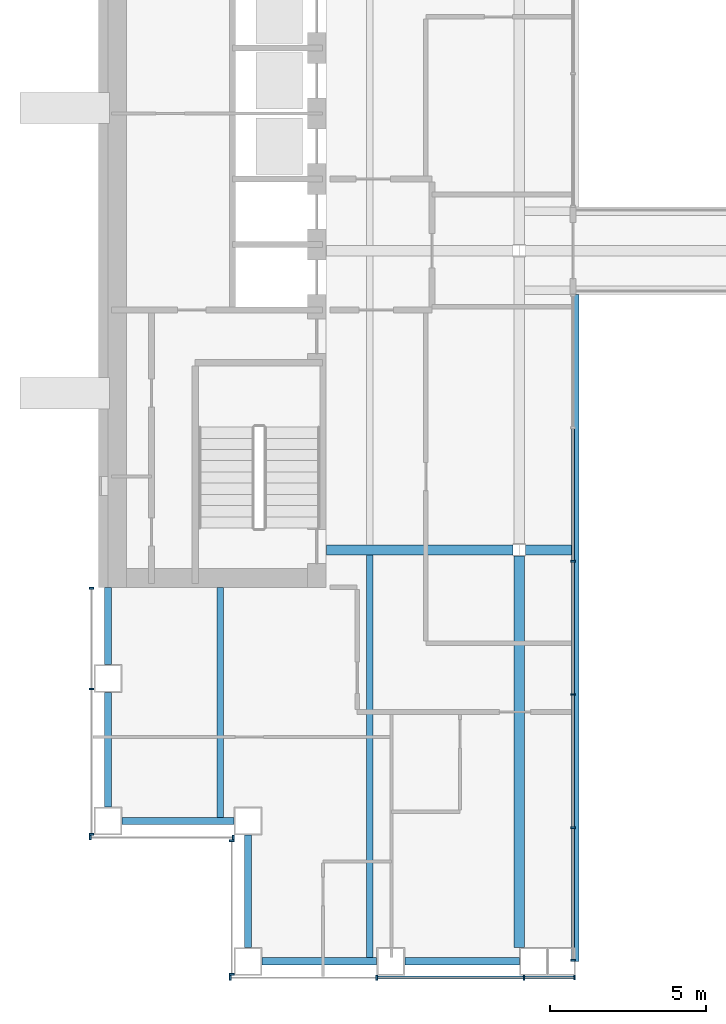
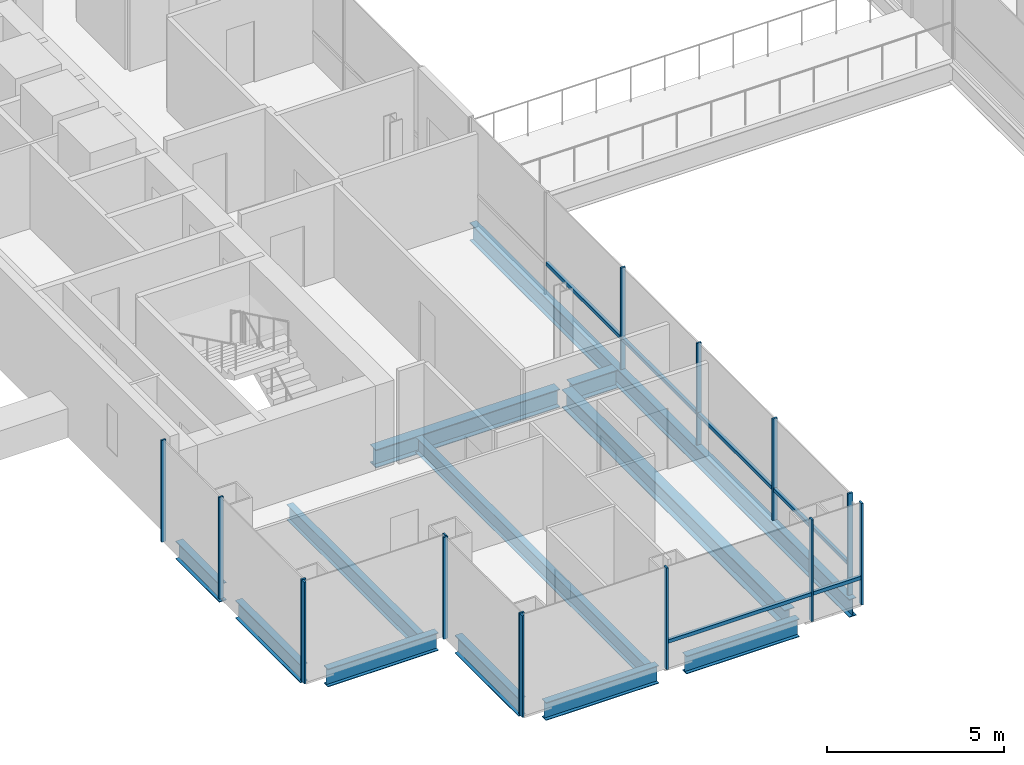
# One storey, part 2 of 17: 21 members, 12 beams, 5 elements without a shape of their own.
"""IFC4 building model written with IfcOpenShell, lengths in metres."""

from ifc_helpers import new_model, si_unit, direction, frame, origin, origin_2d, place, context, subcontext, project, spatial, rectangle, i_section, extrude, material, material_profile, profile_set, type_object, element, aggregate, save


model = new_model("IFC4")

# Units and contexts
model_context = context("Model", 3, precision=1e-05, world=origin(), true_north=direction((0.0, 1.0)))
body_context = subcontext(model_context, "Body", "Model", "MODEL_VIEW")
ifc_project = project(units=[si_unit("LENGTHUNIT", "METRE"), si_unit("AREAUNIT", "SQUARE_METRE"), si_unit("VOLUMEUNIT", "CUBIC_METRE"), si_unit("PLANEANGLEUNIT", "RADIAN"), si_unit("MASSUNIT", "GRAM", prefix="KILO")], contexts=[model_context])

# Site, building, storey
site_placement = place(None, origin())
site = spatial("IfcSite", under=ifc_project, at=site_placement, CompositionType="ELEMENT")
building_placement = place(site_placement, origin())
building = spatial("IfcBuilding", under=site, at=building_placement, Name="Cobrizo Arcos Hotel Tower", CompositionType="ELEMENT")
storey_placement = place(building_placement, frame((0.0, 0.0, 134.5)))
storey = spatial("IfcBuildingStorey", under=building, at=storey_placement, Name="L34", CompositionType="ELEMENT", Elevation=134.5)

# Curtain wall, members
ifc_material_1 = material(Name="Aluminium 6063-T6 anodised bronze", Category="aluminium")
curtain_wall_type_1 = type_object("IfcCurtainWallType", Name="CW-A guest facade", PredefinedType="NOTDEFINED", material=ifc_material_1)
curtain_wall_1_placement = place(storey_placement, origin())
curtain_wall_1 = element("IfcCurtainWall", 1, at=curtain_wall_1_placement, inside=storey, type_object=curtain_wall_type_1, Name="CW-A L34 S face", PredefinedType="NOTDEFINED")
ifc_material_profile_1 = material_profile(ifc_material_1, rectangle(XDim=0.14990234375, YDim=0.06005859375, at=origin_2d()), Name="CW-A mullion 150x60")
ifc_profile_set_1 = profile_set([ifc_material_profile_1], Name="Aluminium 6063-T6 anodised bronze")
member_type_1 = type_object("IfcMemberType", Name="CW-A mullion 150x60", PredefinedType="MULLION", material=ifc_profile_set_1)
member_1_placement = place(storey_placement, frame((-18.8701171875, -23.324951171875, 0.0), z_axis=(0.0, 0.0, 1.0), x_axis=(0.0, -1.0, 0.0)))
member_1 = element("IfcMember", 2, at=member_1_placement, type_object=member_type_1, Name="CW-A mullion 1", PredefinedType="MULLION", context=body_context, shape_type="SweptSolid", body=[
    extrude(rectangle(XDim=0.14990234375, YDim=0.06005859375, at=origin_2d()), origin(), (0.0, 0.0, 1.0), 3.5),
])
member_2_placement = place(storey_placement, frame((-14.175048828125, -23.324951171875, 0.0), z_axis=(0.0, 0.0, 1.0), x_axis=(0.0, -1.0, 0.0)))
member_2 = element("IfcMember", 3, at=member_2_placement, type_object=member_type_1, Name="CW-A mullion 2", PredefinedType="MULLION", context=body_context, shape_type="SweptSolid", body=[
    extrude(rectangle(XDim=0.14990234375, YDim=0.06005859375, at=origin_2d()), origin(), (0.0, 0.0, 1.0), 3.5),
])
member_3_placement = place(storey_placement, frame((-9.449951171875, -23.324951171875, 0.0), z_axis=(0.0, 0.0, 1.0), x_axis=(0.0, -1.0, 0.0)))
member_3 = element("IfcMember", 4, at=member_3_placement, type_object=member_type_1, Name="CW-A mullion 3", PredefinedType="MULLION", context=body_context, shape_type="SweptSolid", body=[
    extrude(rectangle(XDim=0.14990234375, YDim=0.06005859375, at=origin_2d()), origin(), (0.0, 0.0, 1.0), 3.5),
])
member_4_placement = place(storey_placement, frame((-7.830078125, -23.324951171875, 0.0), z_axis=(0.0, 0.0, 1.0), x_axis=(0.0, -1.0, 0.0)))
member_4 = element("IfcMember", 5, at=member_4_placement, type_object=member_type_1, Name="CW-A mullion 4", PredefinedType="MULLION", context=body_context, shape_type="SweptSolid", body=[
    extrude(rectangle(XDim=0.14990234375, YDim=0.06005859375, at=origin_2d()), origin(), (0.0, 0.0, 1.0), 3.5),
])

curtain_wall_2_placement = place(storey_placement, origin())
curtain_wall_2 = element("IfcCurtainWall", 6, at=curtain_wall_2_placement, inside=storey, type_object=curtain_wall_type_1, Name="CW-A L34 W face", PredefinedType="NOTDEFINED")
member_5_placement = place(storey_placement, frame((-23.324951171875, -10.830078125, 0.0), z_axis=(0.0, 0.0, 1.0), x_axis=(-1.0, 0.0, 0.0)))
member_5 = element("IfcMember", 7, at=member_5_placement, type_object=member_type_1, Name="CW-A mullion 1", PredefinedType="MULLION", context=body_context, shape_type="SweptSolid", body=[
    extrude(rectangle(XDim=0.14990234375, YDim=0.06005859375, at=origin_2d()), origin(), (0.0, 0.0, 1.0), 3.5),
])
member_6_placement = place(storey_placement, frame((-23.324951171875, -14.0625, 0.0), z_axis=(0.0, 0.0, 1.0), x_axis=(-1.0, 0.0, 0.0)))
member_6 = element("IfcMember", 8, at=member_6_placement, type_object=member_type_1, Name="CW-A mullion 2", PredefinedType="MULLION", context=body_context, shape_type="SweptSolid", body=[
    extrude(rectangle(XDim=0.14990234375, YDim=0.06005859375, at=origin_2d()), origin(), (0.0, 0.0, 1.0), 3.5),
])
member_7_placement = place(storey_placement, frame((-23.324951171875, -18.719970703125, 0.0), z_axis=(0.0, 0.0, 1.0), x_axis=(-1.0, 0.0, 0.0)))
member_7 = element("IfcMember", 9, at=member_7_placement, type_object=member_type_1, Name="CW-A mullion 3", PredefinedType="MULLION", context=body_context, shape_type="SweptSolid", body=[
    extrude(rectangle(XDim=0.14990234375, YDim=0.06005859375, at=origin_2d()), origin(), (0.0, 0.0, 1.0), 3.5),
])
aggregate(curtain_wall_2, [member_5, member_6, member_7])

curtain_wall_3_placement = place(storey_placement, origin())
curtain_wall_3 = element("IfcCurtainWall", 10, at=curtain_wall_3_placement, inside=storey, type_object=curtain_wall_type_1, Name="CW-A L34 S face", PredefinedType="NOTDEFINED")
member_8_placement = place(storey_placement, frame((-23.3701171875, -18.824951171875, 0.0), z_axis=(0.0, 0.0, 1.0), x_axis=(0.0, -1.0, 0.0)))
member_8 = element("IfcMember", 11, at=member_8_placement, type_object=member_type_1, Name="CW-A mullion 1", PredefinedType="MULLION", context=body_context, shape_type="SweptSolid", body=[
    extrude(rectangle(XDim=0.14990234375, YDim=0.06005859375, at=origin_2d()), origin(), (0.0, 0.0, 1.0), 3.5),
])
member_9_placement = place(storey_placement, frame((-18.780029296875, -18.824951171875, 0.0), z_axis=(0.0, 0.0, 1.0), x_axis=(0.0, -1.0, 0.0)))
member_9 = element("IfcMember", 12, at=member_9_placement, type_object=member_type_1, Name="CW-A mullion 2", PredefinedType="MULLION", context=body_context, shape_type="SweptSolid", body=[
    extrude(rectangle(XDim=0.14990234375, YDim=0.06005859375, at=origin_2d()), origin(), (0.0, 0.0, 1.0), 3.5),
])
aggregate(curtain_wall_3, [member_8, member_9])

curtain_wall_4_placement = place(storey_placement, origin())
curtain_wall_4 = element("IfcCurtainWall", 13, at=curtain_wall_4_placement, inside=storey, type_object=curtain_wall_type_1, Name="CW-A L34 W face", PredefinedType="NOTDEFINED")
member_10_placement = place(storey_placement, frame((-18.824951171875, -18.929931640625, 0.0), z_axis=(0.0, 0.0, 1.0), x_axis=(-1.0, 0.0, 0.0)))
member_10 = element("IfcMember", 14, at=member_10_placement, type_object=member_type_1, Name="CW-A mullion 1", PredefinedType="MULLION", context=body_context, shape_type="SweptSolid", body=[
    extrude(rectangle(XDim=0.14990234375, YDim=0.06005859375, at=origin_2d()), origin(), (0.0, 0.0, 1.0), 3.5),
])
member_11_placement = place(storey_placement, frame((-18.824951171875, -23.219970703125, 0.0), z_axis=(0.0, 0.0, 1.0), x_axis=(-1.0, 0.0, 0.0)))
member_11 = element("IfcMember", 15, at=member_11_placement, type_object=member_type_1, Name="CW-A mullion 2", PredefinedType="MULLION", context=body_context, shape_type="SweptSolid", body=[
    extrude(rectangle(XDim=0.14990234375, YDim=0.06005859375, at=origin_2d()), origin(), (0.0, 0.0, 1.0), 3.5),
])
aggregate(curtain_wall_4, [member_10, member_11])

# Member
ifc_material_profile_2 = material_profile(ifc_material_1, rectangle(XDim=0.10009765625, YDim=0.1201171875, at=origin_2d()), Name="CW-A transom 120x100")
ifc_profile_set_2 = profile_set([ifc_material_profile_2], Name="Aluminium 6063-T6 anodised bronze")
member_type_2 = type_object("IfcMemberType", Name="CW-A transom 120x100", PredefinedType="USERDEFINED", material=ifc_profile_set_2)
member_12_placement = place(storey_placement, frame((-14.14501953125, -23.324951171875, 0.929931640625), z_axis=(1.0, 0.0, 0.0), x_axis=(0.0, 1.0, 0.0)))
member_12 = element("IfcMember", 16, at=member_12_placement, type_object=member_type_2, Name="CW-A transom 1248", ObjectType="TRANSOM", PredefinedType="USERDEFINED", context=body_context, shape_type="SweptSolid", body=[
    extrude(rectangle(XDim=0.10009765625, YDim=0.1201171875, at=origin_2d()), origin(), (0.0, 0.0, 1.0), 4.6650390625),
])

member_13_placement = place(storey_placement, frame((-9.419921875, -23.324951171875, 0.929931640625), z_axis=(1.0, 0.0, 0.0), x_axis=(0.0, 1.0, 0.0)))
member_13 = element("IfcMember", 17, at=member_13_placement, type_object=member_type_2, Name="CW-A transom 1249", ObjectType="TRANSOM", PredefinedType="USERDEFINED", context=body_context, shape_type="SweptSolid", body=[
    extrude(rectangle(XDim=0.10009765625, YDim=0.1201171875, at=origin_2d()), origin(), (0.0, 0.0, 1.0), 1.559814453125),
])

aggregate(curtain_wall_1, [member_1, member_2, member_3, member_4, member_12, member_13])

# Curtain wall, members
curtain_wall_type_2 = type_object("IfcCurtainWallType", Name="CW-F void screen", PredefinedType="NOTDEFINED", material=ifc_material_1)
curtain_wall_5_placement = place(storey_placement, origin())
curtain_wall_5 = element("IfcCurtainWall", 18, at=curtain_wall_5_placement, inside=storey, type_object=curtain_wall_type_2, Name="CW-F L34 void screen B", PredefinedType="NOTDEFINED")
ifc_material_profile_3 = material_profile(ifc_material_1, rectangle(XDim=0.14990234375, YDim=0.06005859375, at=origin_2d()), Name="CW-F mullion 150x60")
ifc_profile_set_3 = profile_set([ifc_material_profile_3], Name="Aluminium 6063-T6 anodised bronze")
member_type_3 = type_object("IfcMemberType", Name="CW-F mullion 150x60", PredefinedType="MULLION", material=ifc_profile_set_3)
member_14_placement = place(storey_placement, frame((-7.875, -9.9599609375, 0.0), z_axis=(0.0, 0.0, 1.0), x_axis=(-1.0, 0.0, 0.0)))
member_14 = element("IfcMember", 19, at=member_14_placement, type_object=member_type_3, Name="CW-F mullion 3", PredefinedType="MULLION", context=body_context, shape_type="SweptSolid", body=[
    extrude(rectangle(XDim=0.14990234375, YDim=0.06005859375, at=origin_2d()), origin(), (0.0, 0.0, 1.0), 3.5),
])
member_15_placement = place(storey_placement, frame((-7.875, -14.239990234375, 0.0), z_axis=(0.0, 0.0, 1.0), x_axis=(-1.0, 0.0, 0.0)))
member_15 = element("IfcMember", 20, at=member_15_placement, type_object=member_type_3, Name="CW-F mullion 4", PredefinedType="MULLION", context=body_context, shape_type="SweptSolid", body=[
    extrude(rectangle(XDim=0.14990234375, YDim=0.06005859375, at=origin_2d()), origin(), (0.0, 0.0, 1.0), 3.5),
])
member_16_placement = place(storey_placement, frame((-7.875, -18.52001953125, 0.0), z_axis=(0.0, 0.0, 1.0), x_axis=(-1.0, 0.0, 0.0)))
member_16 = element("IfcMember", 21, at=member_16_placement, type_object=member_type_3, Name="CW-F mullion 5", PredefinedType="MULLION", context=body_context, shape_type="SweptSolid", body=[
    extrude(rectangle(XDim=0.14990234375, YDim=0.06005859375, at=origin_2d()), origin(), (0.0, 0.0, 1.0), 3.5),
])
member_17_placement = place(storey_placement, frame((-7.875, -22.77001953125, 0.0), z_axis=(0.0, 0.0, 1.0), x_axis=(-1.0, 0.0, 0.0)))
member_17 = element("IfcMember", 22, at=member_17_placement, type_object=member_type_3, Name="CW-F mullion 6", PredefinedType="MULLION", context=body_context, shape_type="SweptSolid", body=[
    extrude(rectangle(XDim=0.14990234375, YDim=0.06005859375, at=origin_2d()), origin(), (0.0, 0.0, 1.0), 3.5),
])
ifc_material_profile_4 = material_profile(ifc_material_1, rectangle(XDim=0.10009765625, YDim=0.1201171875, at=origin_2d()), Name="CW-F transom 120x100")
ifc_profile_set_4 = profile_set([ifc_material_profile_4], Name="Aluminium 6063-T6 anodised bronze")
member_type_4 = type_object("IfcMemberType", Name="CW-F transom 120x100", PredefinedType="USERDEFINED", material=ifc_profile_set_4)
member_18_placement = place(storey_placement, frame((-7.875, -5.7099609375, 1.050048828125), z_axis=(0.0, -1.0, 0.0), x_axis=(1.0, 0.0, 0.0)))
member_18 = element("IfcMember", 23, at=member_18_placement, type_object=member_type_4, Name="CW-F transom 2682", ObjectType="TRANSOM", PredefinedType="USERDEFINED", context=body_context, shape_type="SweptSolid", body=[
    extrude(rectangle(XDim=0.10009765625, YDim=0.1201171875, at=origin_2d()), origin(), (0.0, 0.0, 1.0), 4.219970703125),
])
member_19_placement = place(storey_placement, frame((-7.875, -9.989990234375, 1.050048828125), z_axis=(0.0, -1.0, 0.0), x_axis=(1.0, 0.0, 0.0)))
member_19 = element("IfcMember", 24, at=member_19_placement, type_object=member_type_4, Name="CW-F transom 2683", ObjectType="TRANSOM", PredefinedType="USERDEFINED", context=body_context, shape_type="SweptSolid", body=[
    extrude(rectangle(XDim=0.10009765625, YDim=0.1201171875, at=origin_2d()), origin(), (0.0, 0.0, 1.0), 4.219970703125),
])
member_20_placement = place(storey_placement, frame((-7.875, -14.27001953125, 1.050048828125), z_axis=(0.0, -1.0, 0.0), x_axis=(1.0, 0.0, 0.0)))
member_20 = element("IfcMember", 25, at=member_20_placement, type_object=member_type_4, Name="CW-F transom 2684", ObjectType="TRANSOM", PredefinedType="USERDEFINED", context=body_context, shape_type="SweptSolid", body=[
    extrude(rectangle(XDim=0.10009765625, YDim=0.1201171875, at=origin_2d()), origin(), (0.0, 0.0, 1.0), 4.219970703125),
])
member_21_placement = place(storey_placement, frame((-7.875, -18.550048828125, 1.050048828125), z_axis=(0.0, -1.0, 0.0), x_axis=(1.0, 0.0, 0.0)))
member_21 = element("IfcMember", 26, at=member_21_placement, type_object=member_type_4, Name="CW-F transom 2685", ObjectType="TRANSOM", PredefinedType="USERDEFINED", context=body_context, shape_type="SweptSolid", body=[
    extrude(rectangle(XDim=0.10009765625, YDim=0.1201171875, at=origin_2d()), origin(), (0.0, 0.0, 1.0), 4.18994140625),
])
aggregate(curtain_wall_5, [member_14, member_15, member_16, member_17, member_18, member_19, member_20, member_21])

# Beams
ifc_material_2 = material(Name="Steel ASTM A992 Grade 50", Category="steel")
ifc_material_profile_5 = material_profile(ifc_material_2, i_section(OverallWidth=0.209228515625, OverallDepth=0.533447265625, WebThickness=0.01025390625, FlangeThickness=0.015625, at=origin_2d()), Name="W21X62")
ifc_profile_set_5 = profile_set([ifc_material_profile_5], Name="Steel ASTM A992 Grade 50")
beam_type_1 = type_object("IfcBeamType", Name="W21X62 joist", PredefinedType="JOIST", material=ifc_profile_set_5)
beam_1_placement = place(storey_placement, frame((-19.199951171875, -18.2099609375, -0.416748046875), z_axis=(0.0, 1.0, 0.0), x_axis=(-1.0, 0.0, 0.0)))
element("IfcBeam", 27, at=beam_1_placement, inside=storey, type_object=beam_type_1, Name="Floor joist J1, L34, no. 001", PredefinedType="JOIST", context=body_context, shape_type="SweptSolid", body=[
    extrude(i_section(OverallWidth=0.209228515625, OverallDepth=0.533447265625, WebThickness=0.01025390625, FlangeThickness=0.015625, at=origin_2d()), origin(), (0.0, 0.0, 1.0), 7.39990234375),
])
beam_2_placement = place(storey_placement, frame((-14.39990234375, -22.7099609375, -0.416748046875), z_axis=(0.0, 1.0, 0.0), x_axis=(-1.0, 0.0, 0.0)))
element("IfcBeam", 28, at=beam_2_placement, inside=storey, type_object=beam_type_1, Name="Floor joist J1, L34, no. 003", PredefinedType="JOIST", context=body_context, shape_type="SweptSolid", body=[
    extrude(i_section(OverallWidth=0.209228515625, OverallDepth=0.533447265625, WebThickness=0.01025390625, FlangeThickness=0.015625, at=origin_2d()), origin(), (0.0, 0.0, 1.0), 12.946044921875),
])
ifc_material_profile_6 = material_profile(ifc_material_2, i_section(OverallWidth=0.32763671875, OverallDepth=0.622314453125, WebThickness=0.015380859375, FlangeThickness=0.0244140625, at=origin_2d()), Name="W24X131")
ifc_profile_set_6 = profile_set([ifc_material_profile_6], Name="Steel ASTM A992 Grade 50")
beam_type_2 = type_object("IfcBeamType", Name="W24X131 girder", PredefinedType="BEAM", material=ifc_profile_set_6)
beam_3_placement = place(storey_placement, frame((-15.7900390625, -9.60009765625, -0.461181640625), z_axis=(1.0, 0.0, 0.0), x_axis=(0.0, 1.0, 0.0)))
element("IfcBeam", 29, at=beam_3_placement, inside=storey, type_object=beam_type_2, Name="Floor girder G1, L34, no. 001", PredefinedType="BEAM", context=body_context, shape_type="SweptSolid", body=[
    extrude(i_section(OverallWidth=0.32763671875, OverallDepth=0.622314453125, WebThickness=0.015380859375, FlangeThickness=0.0244140625, at=origin_2d()), origin(), (0.0, 0.0, 1.0), 5.99072265625),
])
beam_4_placement = place(storey_placement, frame((-9.400634765625, -9.60009765625, -0.461181640625), z_axis=(1.0, 0.0, 0.0), x_axis=(0.0, 1.0, 0.0)))
element("IfcBeam", 30, at=beam_4_placement, inside=storey, type_object=beam_type_2, Name="Floor girder G1, L34, no. 002", PredefinedType="BEAM", context=body_context, shape_type="SweptSolid", body=[
    extrude(i_section(OverallWidth=0.32763671875, OverallDepth=0.622314453125, WebThickness=0.015380859375, FlangeThickness=0.0244140625, at=origin_2d()), origin(), (0.0, 0.0, 1.0), 1.5107421875),
])
beam_5_placement = place(storey_placement, frame((-9.60009765625, -22.35009765625, -0.461181640625), z_axis=(0.0, 1.0, 0.0), x_axis=(-1.0, 0.0, 0.0)))
element("IfcBeam", 31, at=beam_5_placement, inside=storey, type_object=beam_type_2, Name="Floor girder G1, L34, no. 012", PredefinedType="BEAM", context=body_context, shape_type="SweptSolid", body=[
    extrude(i_section(OverallWidth=0.32763671875, OverallDepth=0.622314453125, WebThickness=0.015380859375, FlangeThickness=0.0244140625, at=origin_2d()), origin(), (0.0, 0.0, 1.0), 12.55078125),
])
ifc_material_profile_7 = material_profile(ifc_material_2, i_section(OverallWidth=0.23046875, OverallDepth=0.6171875, WebThickness=0.01318359375, FlangeThickness=0.022216796875, at=origin_2d()), Name="W24X94")
ifc_profile_set_7 = profile_set([ifc_material_profile_7], Name="Steel ASTM A992 Grade 50")
beam_type_3 = type_object("IfcBeamType", Name="W24X94 spandrel", PredefinedType="SPANDREL", material=ifc_profile_set_7)
beam_6_placement = place(storey_placement, frame((-7.800048828125, -1.39990234375, -0.45849609375), z_axis=(0.0, -1.0, 0.0), x_axis=(1.0, 0.0, 0.0)))
element("IfcBeam", 32, at=beam_6_placement, inside=storey, type_object=beam_type_3, Name="Spandrel beam W24X94, L34, no. 011", PredefinedType="SPANDREL", context=body_context, shape_type="SweptSolid", body=[
    extrude(i_section(OverallWidth=0.23046875, OverallDepth=0.6171875, WebThickness=0.01318359375, FlangeThickness=0.022216796875, at=origin_2d()), origin(), (0.0, 0.0, 1.0), 21.400146484375),
])
beam_7_placement = place(storey_placement, frame((-9.60009765625, -22.800048828125, -0.45849609375), z_axis=(-1.0, 0.0, 0.0), x_axis=(0.0, -1.0, 0.0)))
element("IfcBeam", 33, at=beam_7_placement, inside=storey, type_object=beam_type_3, Name="Spandrel beam W24X94, L34, no. 012", PredefinedType="SPANDREL", context=body_context, shape_type="SweptSolid", body=[
    extrude(i_section(OverallWidth=0.23046875, OverallDepth=0.6171875, WebThickness=0.01318359375, FlangeThickness=0.022216796875, at=origin_2d()), origin(), (0.0, 0.0, 1.0), 3.6748046875),
])
beam_8_placement = place(storey_placement, frame((-14.175048828125, -22.800048828125, -0.45849609375), z_axis=(-1.0, 0.0, 0.0), x_axis=(0.0, -1.0, 0.0)))
element("IfcBeam", 34, at=beam_8_placement, inside=storey, type_object=beam_type_3, Name="Spandrel beam W24X94, L34, no. 013", PredefinedType="SPANDREL", context=body_context, shape_type="SweptSolid", body=[
    extrude(i_section(OverallWidth=0.23046875, OverallDepth=0.6171875, WebThickness=0.01318359375, FlangeThickness=0.022216796875, at=origin_2d()), origin(), (0.0, 0.0, 1.0), 3.675048828125),
])
for number, where, z_axis, x_axis, name in (
    (35, (-18.300048828125, -22.35009765625, -0.45849609375), (0.0, 1.0, 0.0), (-1.0, 0.0, 0.0), "Spandrel beam W24X94, L34, no. 014"),
    (36, (-18.75, -18.300048828125, -0.45849609375), (-1.0, 0.0, 0.0), (0.0, -1.0, 0.0), "Spandrel beam W24X94, L34, no. 015"),
):
    element("IfcBeam", number, at=place(storey_placement, frame(where, z_axis=z_axis, x_axis=x_axis)), inside=storey, type_object=beam_type_3, Name=name, PredefinedType="SPANDREL", context=body_context, shape_type="SweptSolid", body=[
        extrude(i_section(OverallWidth=0.23046875, OverallDepth=0.6171875, WebThickness=0.01318359375, FlangeThickness=0.022216796875, at=origin_2d()), origin(), (0.0, 0.0, 1.0), 3.60009765625),
    ])
beam_9_placement = place(storey_placement, frame((-22.800048828125, -17.85009765625, -0.45849609375), z_axis=(0.0, 1.0, 0.0), x_axis=(-1.0, 0.0, 0.0)))
element("IfcBeam", 37, at=beam_9_placement, inside=storey, type_object=beam_type_3, Name="Spandrel beam W24X94, L34, no. 016", PredefinedType="SPANDREL", context=body_context, shape_type="SweptSolid", body=[
    extrude(i_section(OverallWidth=0.23046875, OverallDepth=0.6171875, WebThickness=0.01318359375, FlangeThickness=0.022216796875, at=origin_2d()), origin(), (0.0, 0.0, 1.0), 3.675048828125),
])
beam_10_placement = place(storey_placement, frame((-22.800048828125, -13.27490234375, -0.45849609375), z_axis=(0.0, 1.0, 0.0), x_axis=(-1.0, 0.0, 0.0)))
element("IfcBeam", 38, at=beam_10_placement, inside=storey, type_object=beam_type_3, Name="Spandrel beam W24X94, L34, no. 017", PredefinedType="SPANDREL", context=body_context, shape_type="SweptSolid", body=[
    extrude(i_section(OverallWidth=0.23046875, OverallDepth=0.6171875, WebThickness=0.01318359375, FlangeThickness=0.022216796875, at=origin_2d()), origin(), (0.0, 0.0, 1.0), 2.46484375),
])

save(model, "model.ifc")
